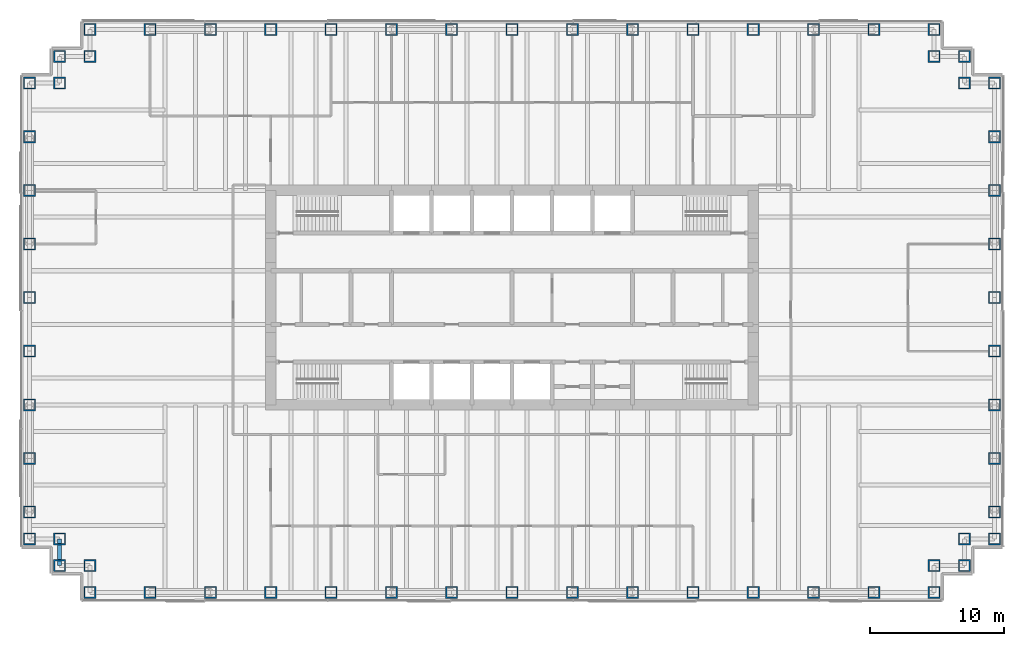
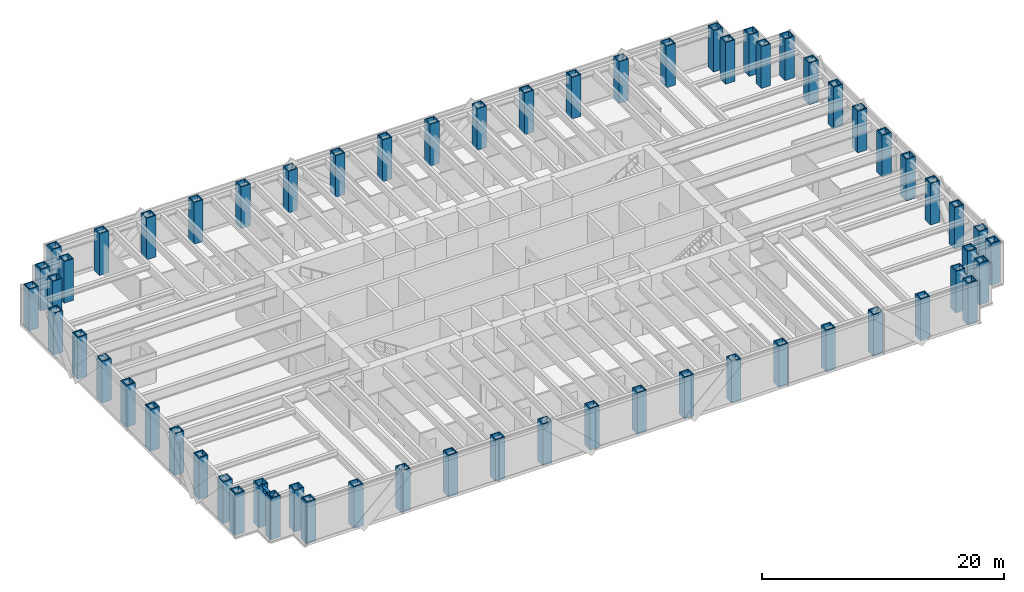
# One storey, part 1 of 17: 62 columns, 1 beam.
"""IFC4 building model written with IfcOpenShell, lengths in metres."""

from ifc_helpers import new_model, si_unit, direction, frame, origin, origin_2d, place, context, subcontext, project, spatial, hollow_rectangle, i_section, extrude, material, material_profile, profile_set, type_object, element, save


model = new_model("IFC4")

# Units and contexts
model_context = context("Model", 3, precision=1e-05, world=origin(), true_north=direction((0.0, 1.0)))
body_context = subcontext(model_context, "Body", "Model", "MODEL_VIEW")
ifc_project = project(units=[si_unit("LENGTHUNIT", "METRE"), si_unit("AREAUNIT", "SQUARE_METRE"), si_unit("VOLUMEUNIT", "CUBIC_METRE"), si_unit("PLANEANGLEUNIT", "RADIAN"), si_unit("MASSUNIT", "GRAM", prefix="KILO")], contexts=[model_context])

# Site, building, storey
site_placement = place(None, origin())
site = spatial("IfcSite", under=ifc_project, at=site_placement, CompositionType="ELEMENT")
building_placement = place(site_placement, origin())
building = spatial("IfcBuilding", under=site, at=building_placement, Name="Rheinbord Bourse Tower", CompositionType="ELEMENT")
storey_placement = place(building_placement, frame((0.0, 0.0, 190.0)))
storey = spatial("IfcBuildingStorey", under=building, at=storey_placement, Name="L42", CompositionType="ELEMENT", Elevation=190.0)

# Columns
ifc_material_1 = material(Name="Steel S460M", Category="steel")
ifc_material_profile_1 = material_profile(ifc_material_1, hollow_rectangle(XDim=0.89990234375, YDim=0.89990234375, WallThickness=0.090087890625, at=origin_2d()), Name="BOX 900x900x90")
ifc_profile_set_1 = profile_set([ifc_material_profile_1], Name="Steel S460M")
column_type = type_object("IfcColumnType", Name="TUBE COLUMN BOX 900x900x90", PredefinedType="COLUMN", material=ifc_profile_set_1)
for number, where, z_axis, x_axis, name in (
    (1, (4.5, 2.0, 0.0), (0.0, 0.0, 1.0), (0.0, 1.0, 0.0), "Column SW-E L42"),
    (2, (9.0, 2.0, 0.0), (0.0, 0.0, 1.0), (0.0, 1.0, 0.0), "Column S-9 L42"),
    (3, (13.5, 2.0, 0.0), (0.0, 0.0, 1.0), (0.0, 1.0, 0.0), "Column S-13.5 L42"),
    (4, (18.0, 2.0, 0.0), (0.0, 0.0, 1.0), (0.0, 1.0, 0.0), "Column S-18 L42"),
    (5, (22.5, 2.0, 0.0), (0.0, 0.0, 1.0), (0.0, 1.0, 0.0), "Column S-22.5 L42"),
    (6, (27.0, 2.0, 0.0), (0.0, 0.0, 1.0), (0.0, 1.0, 0.0), "Column S-27 L42"),
    (7, (31.5, 2.0, 0.0), (0.0, 0.0, 1.0), (0.0, 1.0, 0.0), "Column S-31.5 L42"),
    (8, (36.0, 2.0, 0.0), (0.0, 0.0, 1.0), (0.0, 1.0, 0.0), "Column S-36 L42"),
    (9, (40.5, 2.0, 0.0), (0.0, 0.0, 1.0), (0.0, 1.0, 0.0), "Column S-40.5 L42"),
    (10, (45.0, 2.0, 0.0), (0.0, 0.0, 1.0), (0.0, 1.0, 0.0), "Column S-45 L42"),
    (11, (49.5, 2.0, 0.0), (0.0, 0.0, 1.0), (0.0, 1.0, 0.0), "Column S-49.5 L42"),
    (12, (54.0, 2.0, 0.0), (0.0, 0.0, 1.0), (0.0, 1.0, 0.0), "Column S-54 L42"),
    (13, (58.5, 2.0, 0.0), (0.0, 0.0, 1.0), (0.0, 1.0, 0.0), "Column S-58.5 L42"),
    (14, (63.0, 2.0, 0.0), (0.0, 0.0, 1.0), (0.0, 1.0, 0.0), "Column S-63 L42"),
    (15, (67.5, 2.0, 0.0), (0.0, 0.0, 1.0), (0.0, 1.0, 0.0), "Column SE-E L42"),
    (16, (67.5, 4.0, 0.0), (0.0, 0.0, 1.0), (0.0, 1.0, 0.0), "Column SE-D L42"),
    (17, (69.75, 4.0, 0.0), (0.0, 0.0, 1.0), (1.0, 0.0, 0.0), "Column SE-C L42"),
    (18, (69.75, 6.0, 0.0), (0.0, 0.0, 1.0), (1.0, 0.0, 0.0), "Column SE-B L42"),
    (19, (72.0, 6.0, 0.0), (0.0, 0.0, 1.0), (1.0, 0.0, 0.0), "Column SE-A L42"),
    (20, (72.0, 8.0, 0.0), (0.0, 0.0, 1.0), (1.0, 0.0, 0.0), "Column E-8 L42"),
    (21, (72.0, 12.0, 0.0), (0.0, 0.0, 1.0), (1.0, 0.0, 0.0), "Column E-12 L42"),
    (22, (72.0, 16.0, 0.0), (0.0, 0.0, 1.0), (1.0, 0.0, 0.0), "Column E-16 L42"),
    (23, (72.0, 20.0, 0.0), (0.0, 0.0, 1.0), (1.0, 0.0, 0.0), "Column E-20 L42"),
    (24, (72.0, 24.0, 0.0), (0.0, 0.0, 1.0), (1.0, 0.0, 0.0), "Column E-24 L42"),
    (25, (72.0, 28.0, 0.0), (0.0, 0.0, 1.0), (1.0, 0.0, 0.0), "Column E-28 L42"),
    (26, (72.0, 32.0, 0.0), (0.0, 0.0, 1.0), (1.0, 0.0, 0.0), "Column E-32 L42"),
    (27, (72.0, 36.0, 0.0), (0.0, 0.0, 1.0), (1.0, 0.0, 0.0), "Column E-36 L42"),
    (28, (72.0, 40.0, 0.0), (0.0, 0.0, 1.0), (1.0, 0.0, 0.0), "Column NE-A L42"),
    (29, (69.75, 40.0, 0.0), (0.0, 0.0, 1.0), (1.0, 0.0, 0.0), "Column NE-B L42"),
    (30, (69.75, 42.0, 0.0), (0.0, 0.0, 1.0), (1.0, 0.0, 0.0), "Column NE-C L42"),
    (31, (67.5, 42.0, 0.0), (0.0, 0.0, 1.0), (0.0, 1.0, 0.0), "Column NE-D L42"),
    (32, (67.5, 44.0, 0.0), (0.0, 0.0, 1.0), (0.0, 1.0, 0.0), "Column NE-E L42"),
    (33, (63.0, 44.0, 0.0), (0.0, 0.0, 1.0), (0.0, 1.0, 0.0), "Column N-63 L42"),
    (34, (58.5, 44.0, 0.0), (0.0, 0.0, 1.0), (0.0, 1.0, 0.0), "Column N-58.5 L42"),
    (35, (54.0, 44.0, 0.0), (0.0, 0.0, 1.0), (0.0, 1.0, 0.0), "Column N-54 L42"),
    (36, (49.5, 44.0, 0.0), (0.0, 0.0, 1.0), (0.0, 1.0, 0.0), "Column N-49.5 L42"),
    (37, (45.0, 44.0, 0.0), (0.0, 0.0, 1.0), (0.0, 1.0, 0.0), "Column N-45 L42"),
    (38, (40.5, 44.0, 0.0), (0.0, 0.0, 1.0), (0.0, 1.0, 0.0), "Column N-40.5 L42"),
    (39, (36.0, 44.0, 0.0), (0.0, 0.0, 1.0), (0.0, 1.0, 0.0), "Column N-36 L42"),
    (40, (31.5, 44.0, 0.0), (0.0, 0.0, 1.0), (0.0, 1.0, 0.0), "Column N-31.5 L42"),
    (41, (27.0, 44.0, 0.0), (0.0, 0.0, 1.0), (0.0, 1.0, 0.0), "Column N-27 L42"),
    (42, (22.5, 44.0, 0.0), (0.0, 0.0, 1.0), (0.0, 1.0, 0.0), "Column N-22.5 L42"),
    (43, (18.0, 44.0, 0.0), (0.0, 0.0, 1.0), (0.0, 1.0, 0.0), "Column N-18 L42"),
    (44, (13.5, 44.0, 0.0), (0.0, 0.0, 1.0), (0.0, 1.0, 0.0), "Column N-13.5 L42"),
    (45, (9.0, 44.0, 0.0), (0.0, 0.0, 1.0), (0.0, 1.0, 0.0), "Column N-9 L42"),
    (46, (4.5, 44.0, 0.0), (0.0, 0.0, 1.0), (0.0, 1.0, 0.0), "Column NW-E L42"),
    (47, (4.5, 42.0, 0.0), (0.0, 0.0, 1.0), (0.0, 1.0, 0.0), "Column NW-D L42"),
    (48, (2.25, 42.0, 0.0), (0.0, 0.0, 1.0), (1.0, 0.0, 0.0), "Column NW-C L42"),
    (49, (2.25, 40.0, 0.0), (0.0, 0.0, 1.0), (1.0, 0.0, 0.0), "Column NW-B L42"),
    (50, (0.0, 40.0, 0.0), (0.0, 0.0, 1.0), (1.0, 0.0, 0.0), "Column NW-A L42"),
    (51, (0.0, 36.0, 0.0), (0.0, 0.0, 1.0), (1.0, 0.0, 0.0), "Column W-36 L42"),
    (52, (0.0, 32.0, 0.0), (0.0, 0.0, 1.0), (1.0, 0.0, 0.0), "Column W-32 L42"),
    (53, (0.0, 28.0, 0.0), (0.0, 0.0, 1.0), (1.0, 0.0, 0.0), "Column W-28 L42"),
    (54, (0.0, 24.0, 0.0), (0.0, 0.0, 1.0), (1.0, 0.0, 0.0), "Column W-24 L42"),
    (55, (0.0, 20.0, 0.0), (0.0, 0.0, 1.0), (1.0, 0.0, 0.0), "Column W-20 L42"),
    (56, (0.0, 16.0, 0.0), (0.0, 0.0, 1.0), (1.0, 0.0, 0.0), "Column W-16 L42"),
    (57, (0.0, 12.0, 0.0), (0.0, 0.0, 1.0), (1.0, 0.0, 0.0), "Column W-12 L42"),
    (58, (0.0, 8.0, 0.0), (0.0, 0.0, 1.0), (1.0, 0.0, 0.0), "Column W-8 L42"),
    (59, (0.0, 6.0, 0.0), (0.0, 0.0, 1.0), (1.0, 0.0, 0.0), "Column SW-A L42"),
    (60, (2.25, 6.0, 0.0), (0.0, 0.0, 1.0), (1.0, 0.0, 0.0), "Column SW-B L42"),
    (61, (2.25, 4.0, 0.0), (0.0, 0.0, 1.0), (1.0, 0.0, 0.0), "Column SW-C L42"),
    (62, (4.5, 4.0, 0.0), (0.0, 0.0, 1.0), (0.0, 1.0, 0.0), "Column SW-D L42"),
):
    element("IfcColumn", number, at=place(storey_placement, frame(where, z_axis=z_axis, x_axis=x_axis)), inside=storey, type_object=column_type, Name=name, PredefinedType="COLUMN", context=body_context, shape_type="SweptSolid", body=[
        extrude(hollow_rectangle(XDim=0.89990234375, YDim=0.89990234375, WallThickness=0.090087890625, at=origin_2d()), origin(), (0.0, 0.0, 1.0), 4.199951171875),
    ])

# Beam
ifc_material_2 = material(Name="Steel S460", Category="steel")
ifc_material_profile_2 = material_profile(ifc_material_2, i_section(OverallWidth=0.300048828125, OverallDepth=0.60009765625, WebThickness=0.015380859375, FlangeThickness=0.030029296875, at=origin_2d()), Name="HEB 600")
ifc_profile_set_2 = profile_set([ifc_material_profile_2], Name="Steel S460")
beam_type = type_object("IfcBeamType", Name="SPANDREL HEB 600", PredefinedType="SPANDREL", material=ifc_profile_set_2)
beam_placement = place(storey_placement, frame((2.25, 6.0, 3.739990234375), z_axis=(0.0, -1.0, 0.0), x_axis=(1.0, 0.0, 0.0)))
element("IfcBeam", 63, at=beam_placement, inside=storey, type_object=beam_type, Name="Spandrel SW-B-SW-C under L43", PredefinedType="SPANDREL", context=body_context, shape_type="SweptSolid", body=[
    extrude(i_section(OverallWidth=0.300048828125, OverallDepth=0.60009765625, WebThickness=0.015380859375, FlangeThickness=0.030029296875, at=origin_2d()), origin(), (0.0, 0.0, 1.0), 2.0),
])

save(model, "model.ifc")
